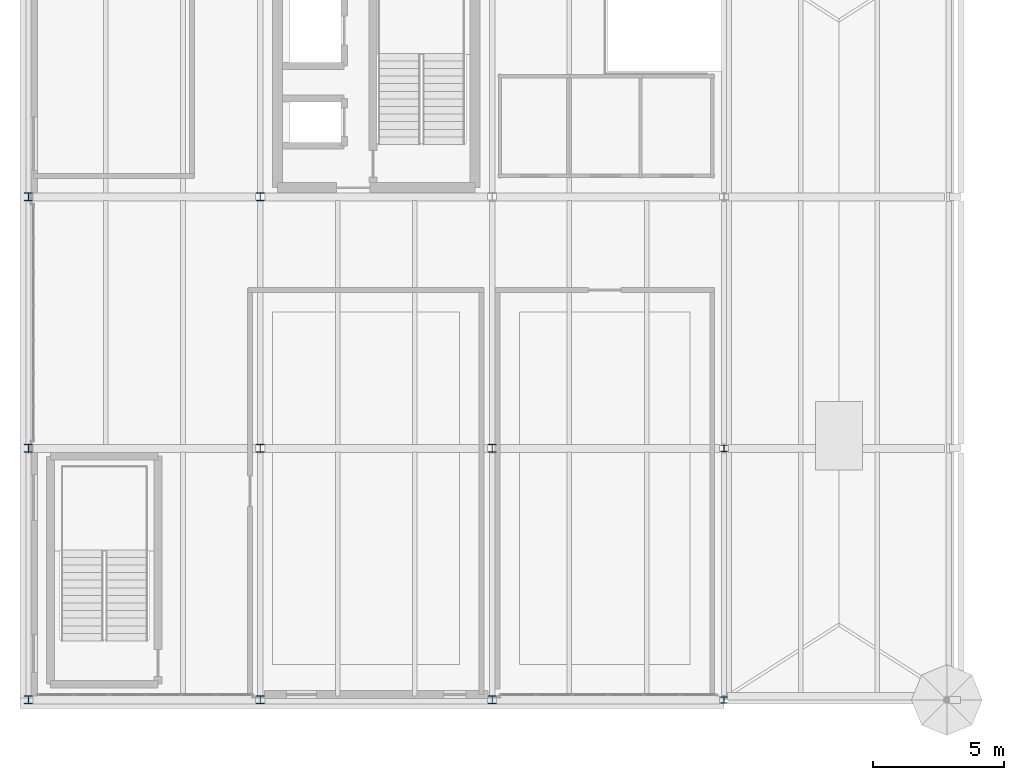
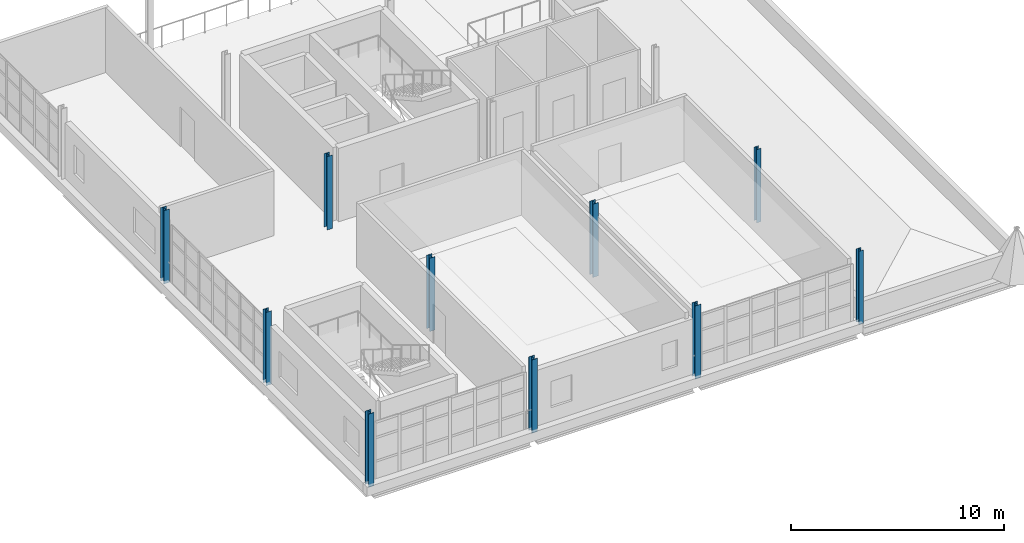
# One storey, part 1 of 58: 10 columns.
"""IFC4 building model written with IfcOpenShell, lengths in metres."""

from ifc_helpers import new_model, si_unit, direction, frame, origin, origin_2d, place, context, subcontext, project, spatial, i_section, extrude, material, material_profile, profile_set, type_object, element, save


model = new_model("IFC4")

# Units and contexts
model_context = context("Model", 3, precision=1e-05, world=origin(), true_north=direction((0.0, 1.0)))
body_context = subcontext(model_context, "Body", "Model", "MODEL_VIEW")
ifc_project = project(units=[si_unit("LENGTHUNIT", "METRE"), si_unit("AREAUNIT", "SQUARE_METRE"), si_unit("VOLUMEUNIT", "CUBIC_METRE"), si_unit("PLANEANGLEUNIT", "RADIAN"), si_unit("MASSUNIT", "GRAM", prefix="KILO")], contexts=[model_context])

# Site, building, storey
site_placement = place(None, origin())
site = spatial("IfcSite", under=ifc_project, at=site_placement, CompositionType="ELEMENT")
building_placement = place(site_placement, origin())
building = spatial("IfcBuilding", under=site, at=building_placement, Name="Yeouljin Market Hall", CompositionType="ELEMENT")
storey_placement = place(building_placement, frame((0.0, 0.0, 10.800048828125)))
storey = spatial("IfcBuildingStorey", under=building, at=storey_placement, Name="L02", CompositionType="ELEMENT", Elevation=10.800048828125)

# Columns
ifc_material_1 = material(Name="Steel SM355", Category="steel")
ifc_material_profile_1 = material_profile(ifc_material_1, i_section(OverallWidth=0.25, OverallDepth=0.25, WebThickness=0.009033203125, FlangeThickness=0.013916015625, FilletRadius=0.01611328125, at=origin_2d()), Name="H-250x250x9x14")
ifc_profile_set_1 = profile_set([ifc_material_profile_1], Name="Steel SM355")
column_type_1 = type_object("IfcColumnType", Name="Col_H-250x250x9x14", PredefinedType="COLUMN", material=ifc_profile_set_1)
for number, where, z_axis, x_axis, name in (
    (1, (26.550048828125, 0.0, 0.0), (0.0, 0.0, 1.0), (1.0, 0.0, 0.0), "Column G-03-00 (L02)"),
    (2, (26.550048828125, 9.60009765625, 0.0), (0.0, 0.0, 1.0), (1.0, 0.0, 0.0), "Column G-03-01 (L02)"),
):
    element("IfcColumn", number, at=place(storey_placement, frame(where, z_axis=z_axis, x_axis=x_axis)), inside=storey, type_object=column_type_1, Name=name, PredefinedType="COLUMN", context=body_context, shape_type="SweptSolid", body=[
        extrude(i_section(OverallWidth=0.25, OverallDepth=0.25, WebThickness=0.009033203125, FlangeThickness=0.013916015625, FilletRadius=0.01611328125, at=origin_2d()), origin(), (0.0, 0.0, 1.0), 4.199951171875),
    ])
ifc_material_2 = material(Name="Steel SM355", Category="steel")
ifc_material_profile_2 = material_profile(ifc_material_2, i_section(OverallWidth=0.300048828125, OverallDepth=0.300048828125, WebThickness=0.010009765625, FlangeThickness=0.014892578125, FilletRadius=0.01806640625, at=origin_2d()), Name="H-300x300x10x15")
ifc_profile_set_2 = profile_set([ifc_material_profile_2], Name="Steel SM355")
column_type_2 = type_object("IfcColumnType", Name="Col_H-300x300x10x15", PredefinedType="COLUMN", material=ifc_profile_set_2)
for number, where, z_axis, x_axis, name in (
    (3, (0.0, 0.0, 0.0), (0.0, 0.0, 1.0), (1.0, 0.0, 0.0), "Column G-00-00 (L02)"),
    (4, (0.0, 9.60009765625, 0.0), (0.0, 0.0, 1.0), (1.0, 0.0, 0.0), "Column G-00-01 (L02)"),
    (5, (0.0, 19.199951171875, 0.0), (0.0, 0.0, 1.0), (1.0, 0.0, 0.0), "Column G-00-02 (L02)"),
    (6, (8.85009765625, 0.0, 0.0), (0.0, 0.0, 1.0), (1.0, 0.0, 0.0), "Column G-01-00 (L02)"),
    (7, (8.85009765625, 9.60009765625, 0.0), (0.0, 0.0, 1.0), (1.0, 0.0, 0.0), "Column G-01-01 (L02)"),
    (8, (8.85009765625, 19.199951171875, 0.0), (0.0, 0.0, 1.0), (1.0, 0.0, 0.0), "Column G-01-02 (L02)"),
    (9, (17.699951171875, 0.0, 0.0), (0.0, 0.0, 1.0), (1.0, 0.0, 0.0), "Column G-02-00 (L02)"),
    (10, (17.699951171875, 9.60009765625, 0.0), (0.0, 0.0, 1.0), (1.0, 0.0, 0.0), "Column G-02-01 (L02)"),
):
    element("IfcColumn", number, at=place(storey_placement, frame(where, z_axis=z_axis, x_axis=x_axis)), inside=storey, type_object=column_type_2, Name=name, PredefinedType="COLUMN", context=body_context, shape_type="SweptSolid", body=[
        extrude(i_section(OverallWidth=0.300048828125, OverallDepth=0.300048828125, WebThickness=0.010009765625, FlangeThickness=0.014892578125, FilletRadius=0.01806640625, at=origin_2d()), origin(), (0.0, 0.0, 1.0), 4.199951171875),
    ])

save(model, "model.ifc")
